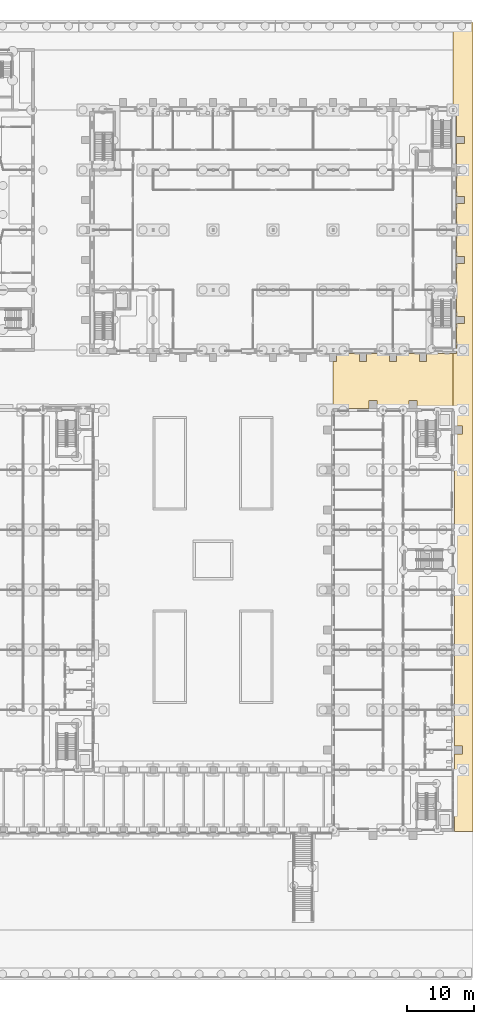
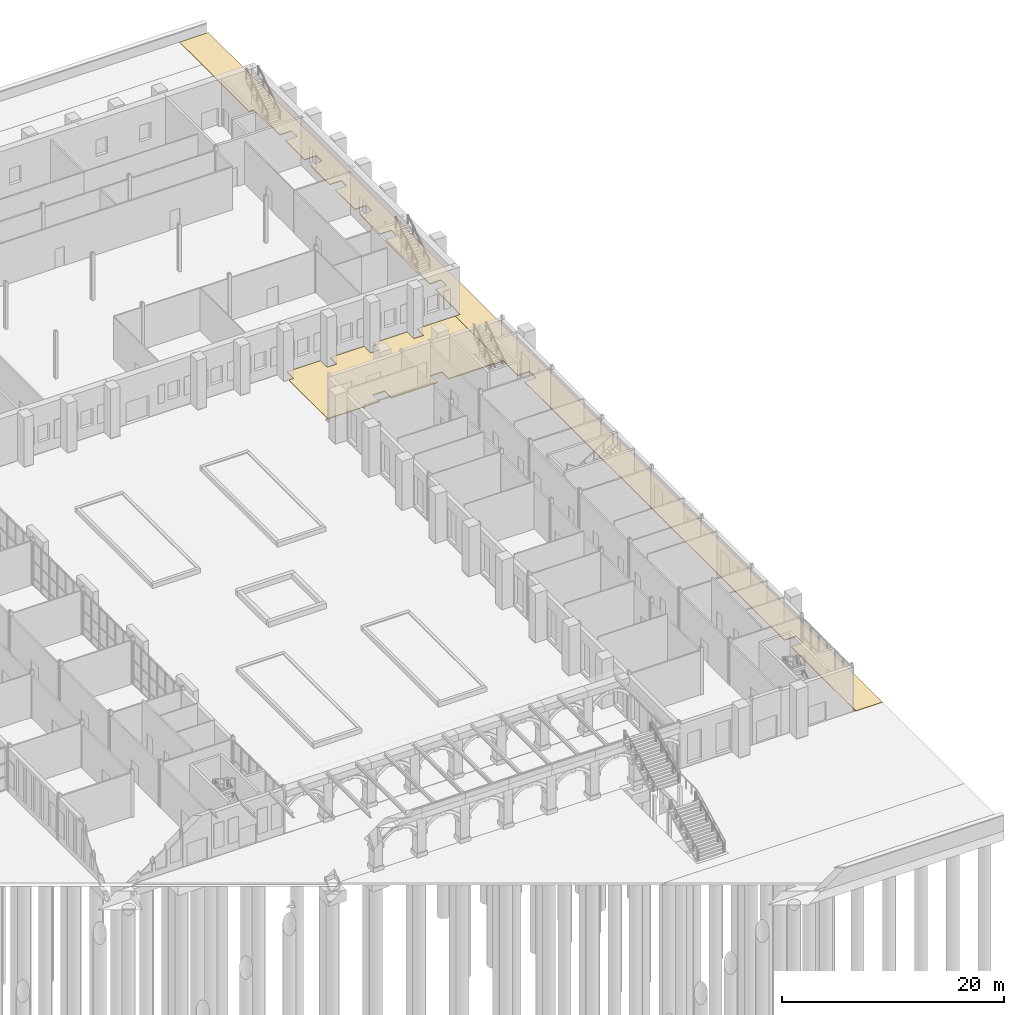
# One storey, part 157 of 168: 2 coverings.
"""IFC4 building model written with IfcOpenShell, lengths in metres."""

from ifc_helpers import new_model, si_unit, direction, frame, origin, place, context, subcontext, project, spatial, polyline, outline, extrude, material, layer, layer_set, type_object, element, save


model = new_model("IFC4")

# Units and contexts
model_context = context("Model", 3, precision=1e-05, world=origin(), true_north=direction((0.0, 1.0)))
body_context = subcontext(model_context, "Body", "Model", "MODEL_VIEW")
ifc_project = project(units=[si_unit("LENGTHUNIT", "METRE"), si_unit("AREAUNIT", "SQUARE_METRE"), si_unit("VOLUMEUNIT", "CUBIC_METRE"), si_unit("PLANEANGLEUNIT", "RADIAN"), si_unit("MASSUNIT", "GRAM", prefix="KILO")], contexts=[model_context])

# Site, building, storey
site_placement = place(None, origin())
site = spatial("IfcSite", under=ifc_project, at=site_placement, CompositionType="ELEMENT")
building_placement = place(site_placement, origin())
building = spatial("IfcBuilding", under=site, at=building_placement, Name="Golden Quay Civic Hall", CompositionType="ELEMENT")
storey_placement = place(building_placement, origin())
storey = spatial("IfcBuildingStorey", under=building, at=storey_placement, Name="L00", CompositionType="ELEMENT", Elevation=0.0)

# Coverings
ifc_material = material(Name="Concrete block paving", Category="concrete")
ifc_layer = layer(ifc_material, 0.10009765625)
ifc_layer_set = layer_set([ifc_layer], Name="Concrete block paving 100")
covering_type = type_object("IfcCoveringType", Name="Concrete block paving 100", PredefinedType="FLOORING", material=ifc_layer_set)
covering_1_placement = place(storey_placement, frame((0.0, 0.0, -0.10009765625)))
element("IfcCovering", 1, at=covering_1_placement, inside=storey, type_object=covering_type, Name="South Lane paving", PredefinedType="FLOORING", context=body_context, shape_type="SweptSolid", body=[
    extrude(outline(polyline([(171.0, 54.25), (170.990966796875, 54.25), (165.60009765625, 54.25), (165.60009765625, 55.449951171875), (164.39990234375, 55.449951171875), (164.39990234375, 54.25), (163.509033203125, 54.25), (163.490966796875, 54.25), (160.509033203125, 54.25), (160.490966796875, 54.25), (159.60009765625, 54.25), (159.60009765625, 55.449951171875), (158.39990234375, 55.449951171875), (158.39990234375, 54.25), (153.009033203125, 54.25), (153.0, 54.25), (153.0, 61.25), (153.5, 61.25), (153.5, 62.449951171875), (157.0, 62.449951171875), (157.0, 61.25), (158.0, 61.25), (158.0, 62.449951171875), (161.5, 62.449951171875), (161.5, 61.25), (162.5, 61.25), (162.5, 62.449951171875), (166.0, 62.449951171875), (166.0, 61.25), (167.0, 61.25), (167.0, 62.449951171875), (171.0, 62.449951171875), (171.0, 54.25)])), origin(), (0.0, 0.0, 1.0), 0.10009765625),
])
covering_2_placement = place(storey_placement, frame((0.0, 0.0, -0.10009765625)))
element("IfcCovering", 2, at=covering_2_placement, inside=storey, type_object=covering_type, Name="East side lane paving", PredefinedType="FLOORING", context=body_context, shape_type="SweptSolid", body=[
    extrude(outline(polyline([(174.0, 112.10009765625), (174.0, -9.25), (171.25, -9.25), (171.25, 0.135009765625), (171.25, 2.39990234375), (172.449951171875, 2.39990234375), (172.449951171875, 3.60009765625), (171.25, 3.60009765625), (171.25, 8.864990234375), (171.25, 9.135009765625), (171.25, 17.864990234375), (171.25, 18.135009765625), (171.25, 26.864990234375), (171.25, 27.135009765625), (171.25, 35.864990234375), (171.25, 36.135009765625), (171.25, 44.864990234375), (171.25, 45.135009765625), (171.25, 50.39990234375), (172.449951171875, 50.39990234375), (172.449951171875, 51.60009765625), (171.25, 51.60009765625), (171.25, 53.864990234375), (171.25, 54.25), (171.0, 54.25), (171.0, 62.449951171875), (171.5, 62.449951171875), (171.5, 63.199951171875), (171.550048828125, 63.199951171875), (171.550048828125, 67.0), (172.75, 67.0), (172.75, 68.0), (171.550048828125, 68.0), (171.550048828125, 76.0), (172.75, 76.0), (172.75, 77.0), (171.550048828125, 77.0), (171.550048828125, 80.5), (172.75, 80.5), (172.75, 81.5), (171.550048828125, 81.5), (171.550048828125, 85.0), (172.75, 85.0), (172.75, 86.0), (171.550048828125, 86.0), (171.550048828125, 89.5), (172.75, 89.5), (172.75, 90.5), (171.550048828125, 90.5), (171.550048828125, 94.0), (172.75, 94.0), (172.75, 95.0), (171.550048828125, 95.0), (171.550048828125, 98.800048828125), (171.5, 98.800048828125), (171.5, 99.550048828125), (171.0, 99.550048828125), (171.0, 112.10009765625), (174.0, 112.10009765625)])), origin(), (0.0, 0.0, 1.0), 0.10009765625),
])

save(model, "model.ifc")
